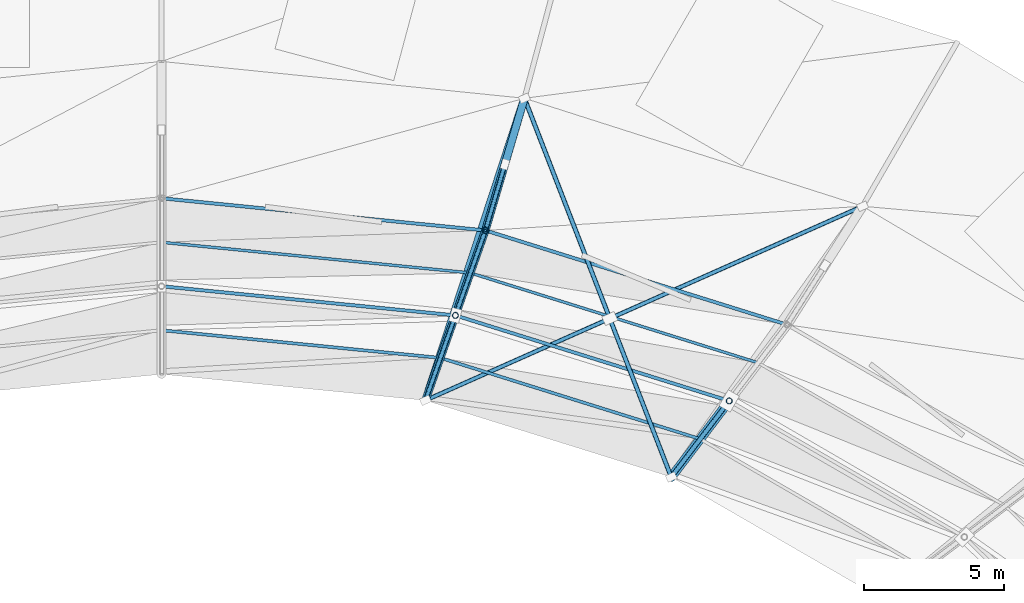
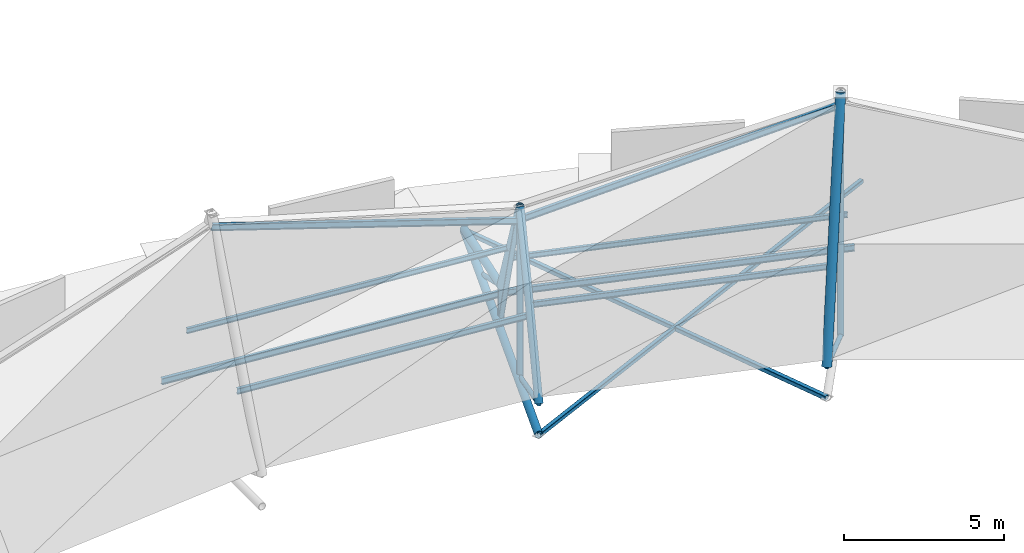
# One storey, part 15 of 36: 22 members, 1 beam.
"""IFC4 building model written with IfcOpenShell, lengths in metres."""

import ifcopenshell
import ifcopenshell.guid

model = None  # the IFC model being written
_history = None  # IfcOwnerHistory: only IFC2X3 demands one
_inside = {}  # id of a spatial element -> (the spatial element, [elements in it])
_under = {}  # id of a project, library or spatial element -> (it, [spatial elements below it])
_declared = {}  # id of a project -> (the project, [libraries it declares])
_typed = {}  # id of a type object -> (the type object, [elements of that type])
_made_of = {}  # id of a material, layer set ... -> (it, [elements and type objects made of it])


def new_model(schema):
    """Start an empty IFC model of exactly this schema.

    Asked for "IFC4X3", IfcOpenShell would pick the latest addendum, in which some entities
    have other attributes; the version numbers below select the first issue.
    IFC2X3 requires an IfcOwnerHistory on every rooted entity: one is made here for all.
    """
    global model, _history
    if schema == "IFC4X3":
        model = ifcopenshell.file(schema_version=(4, 3, 0, 0))
    else:
        model = ifcopenshell.file(schema=schema)
    _inside.clear()
    _under.clear()
    _declared.clear()
    _typed.clear()
    _made_of.clear()
    _history = None
    if model.schema == "IFC2X3":
        org = make("IfcOrganization", Name="unknown")
        user = make(
            "IfcPersonAndOrganization",
            ThePerson=make("IfcPerson", FamilyName="unknown"),
            TheOrganization=org,
        )
        app = make(
            "IfcApplication",
            ApplicationDeveloper=org,
            Version="unknown",
            ApplicationFullName="unknown",
            ApplicationIdentifier="unknown",
        )
        _history = make(
            "IfcOwnerHistory",
            OwningUser=user,
            OwningApplication=app,
            ChangeAction="ADDED",
            CreationDate=0,
        )
    return model


def make(cls, **values):
    """One entity of the class cls with the attributes given. An attribute that is None is left unset."""
    return model.create_entity(
        cls, **{name: value for name, value in values.items() if value is not None}
    )


def rooted(cls, **values):
    """An entity with a GlobalId (a new one), such as an element, a storey or a relation."""
    return make(cls, GlobalId=ifcopenshell.guid.new(), OwnerHistory=_history, **values)


def si_unit(unit_type, name, prefix=None):
    """IfcSIUnit, for example si_unit("LENGTHUNIT", "METRE", prefix="MILLI")."""
    return make("IfcSIUnit", UnitType=unit_type, Prefix=prefix, Name=name)


def assignment(units):
    """IfcUnitAssignment: the units of a project."""
    return None if units is None else make("IfcUnitAssignment", Units=units)


def point(xyz):
    """IfcCartesianPoint."""
    return None if xyz is None else make("IfcCartesianPoint", Coordinates=xyz)


def direction(xyz):
    """IfcDirection."""
    return None if xyz is None else make("IfcDirection", DirectionRatios=xyz)


def frame(location, z_axis=None, x_axis=None):
    """IfcAxis2Placement3D, a coordinate frame: its origin and axes. An axis left out is left unset."""
    return make(
        "IfcAxis2Placement3D",
        Location=point(location),
        Axis=direction(z_axis),
        RefDirection=direction(x_axis),
    )


def frame_2d(location, x_axis=None):
    """IfcAxis2Placement2D, a coordinate frame in the plane: its origin and x axis."""
    return make(
        "IfcAxis2Placement2D", Location=point(location), RefDirection=direction(x_axis)
    )


def origin():
    """The frame at (0, 0, 0) with its axes left unset."""
    return frame((0.0, 0.0, 0.0))


def origin_2d():
    """The frame at (0, 0) in the plane with its x axis left unset."""
    return frame_2d((0.0, 0.0))


def place(relative_to, where):
    """IfcLocalPlacement: puts the frame where relative to a parent placement (None: the world)."""
    return make(
        "IfcLocalPlacement", PlacementRelTo=relative_to, RelativePlacement=where
    )


def context(
    kind, dimensions, precision=None, world=None, true_north=None, identifier=None
):
    """IfcGeometricRepresentationContext, for example the 3D "Model" context."""
    return make(
        "IfcGeometricRepresentationContext",
        ContextIdentifier=identifier,
        ContextType=kind,
        CoordinateSpaceDimension=dimensions,
        Precision=precision,
        WorldCoordinateSystem=world,
        TrueNorth=true_north,
    )


def subcontext(parent, identifier, kind, view, scale=None):
    """IfcGeometricRepresentationSubContext, for example "Body" below "Model"."""
    return make(
        "IfcGeometricRepresentationSubContext",
        ContextIdentifier=identifier,
        ContextType=kind,
        ParentContext=parent,
        TargetScale=scale,
        TargetView=view,
    )


def project(units=None, contexts=None):
    """IfcProject with its units and contexts."""
    return rooted(
        "IfcProject",
        Name="project",
        RepresentationContexts=contexts,
        UnitsInContext=assignment(units),
    )


def spatial(cls, under=None, at=None, **own):
    """A site, building, storey or space (cls), placed at a placement, below another one or the project."""
    s = rooted(cls, ObjectPlacement=at, **own)
    if under is not None:
        _under.setdefault(under.id(), (under, []))[1].append(s)
    return s


def profile(cls, at=None, kind="AREA", **sizes):
    """A parametric profile (cls). Its sizes go by their IFC names, for example OverallWidth=200.0."""
    return make(cls, ProfileType=kind, Position=at, **sizes)


def hollow_rectangle(**sizes):
    """IfcRectangleHollowProfileDef."""
    return profile("IfcRectangleHollowProfileDef", **sizes)


def hollow_circle(**sizes):
    """IfcCircleHollowProfileDef."""
    return profile("IfcCircleHollowProfileDef", **sizes)


def i_section(**sizes):
    """IfcIShapeProfileDef."""
    return profile("IfcIShapeProfileDef", **sizes)


def extrude(swept, where, along, depth):
    """IfcExtrudedAreaSolid: the profile swept, set in the frame where, extruded along a direction by depth."""
    return make(
        "IfcExtrudedAreaSolid",
        SweptArea=swept,
        Position=where,
        ExtrudedDirection=direction(along),
        Depth=depth,
    )


def shape(context_of_items, identifier, shape_type, items):
    """IfcShapeRepresentation: the items that make up one representation, for example the "Body"."""
    return make(
        "IfcShapeRepresentation",
        ContextOfItems=context_of_items,
        RepresentationIdentifier=identifier,
        RepresentationType=shape_type,
        Items=items,
    )


def material(Name=None, Category=None):
    """IfcMaterial."""
    return make("IfcMaterial", Name=Name, Category=Category)


def material_profile(
    of_material, cross_section, Name=None, Category=None, Priority=None
):
    """IfcMaterialProfile: a cross section and its material."""
    return make(
        "IfcMaterialProfile",
        Name=Name,
        Material=of_material,
        Profile=cross_section,
        Priority=Priority,
        Category=Category,
    )


def profile_set(profiles, Name=None, composite=None):
    """IfcMaterialProfileSet."""
    return make(
        "IfcMaterialProfileSet",
        Name=Name,
        MaterialProfiles=profiles,
        CompositeProfile=composite,
    )


def made_of(thing, what):
    """Note that an element or type object is made of a material, layer set ...; save() writes the relation."""
    if what is not None:
        _made_of.setdefault(what.id(), (what, []))[1].append(thing)
    return thing


def type_object(cls, material=None, **own):
    """A type object (cls), such as IfcWallType, which elements share."""
    return made_of(rooted(cls, **own), material)


def element(
    cls,
    number,
    at=None,
    inside=None,
    cuts=None,
    type_object=None,
    material=None,
    context=None,
    identifier="Body",
    shape_type=None,
    held_by="IfcProductDefinitionShape",
    body=None,
    shapes=None,
    **own,
):
    """One element of the class cls, such as IfcWall. Its Tag is "e" and its number.

    at: its placement. inside: the storey or other place that contains it. cuts: it is an
    opening in that element (IfcRelVoidsElement). A single representation is given by context,
    identifier, shape_type and body (its items); several are given by shapes. held_by: the class
    of the entity that holds the representations. save() writes the other relations.
    """
    e = rooted(cls, Tag="e%d" % number, ObjectPlacement=at, **own)
    if body is not None:
        shapes = [shape(context, identifier, shape_type, body)]
    if shapes is not None:
        e.Representation = make(held_by, Representations=shapes)
    if inside is not None:
        _inside.setdefault(inside.id(), (inside, []))[1].append(e)
    if cuts is not None:
        rooted(
            "IfcRelVoidsElement", RelatingBuildingElement=cuts, RelatedOpeningElement=e
        )
    if type_object is not None:
        _typed.setdefault(type_object.id(), (type_object, []))[1].append(e)
    return made_of(e, material)


def aggregate(whole, parts):
    """IfcRelAggregates: a whole, such as a stair, and the parts it consists of."""
    return rooted("IfcRelAggregates", RelatingObject=whole, RelatedObjects=parts)


def save(model, path):
    """Write the relations noted so far, then the file.

    IfcRelAggregates (storeys below a building ...), IfcRelContainedInSpatialStructure (elements
    in a storey), IfcRelDefinesByType, IfcRelAssociatesMaterial and IfcRelDeclares: one each for
    every whole, place, type object, material and project.
    """
    for whole, parts in _under.values():
        aggregate(whole, parts)
    for where, things in _inside.values():
        rooted(
            "IfcRelContainedInSpatialStructure",
            RelatedElements=things,
            RelatingStructure=where,
        )
    for kind, things in _typed.values():
        rooted("IfcRelDefinesByType", RelatedObjects=things, RelatingType=kind)
    for what, things in _made_of.values():
        rooted("IfcRelAssociatesMaterial", RelatedObjects=things, RelatingMaterial=what)
    for by, libraries in _declared.values():
        rooted("IfcRelDeclares", RelatingContext=by, RelatedDefinitions=libraries)
    model.write(path)


model = new_model("IFC4")

# Units and contexts
model_context = context("Model", 3, precision=1e-05, world=origin(), true_north=direction((0.0, 1.0)))
body_context = subcontext(model_context, "Body", "Model", "MODEL_VIEW")
ifc_project = project(units=[si_unit("LENGTHUNIT", "METRE"), si_unit("AREAUNIT", "SQUARE_METRE"), si_unit("VOLUMEUNIT", "CUBIC_METRE"), si_unit("PLANEANGLEUNIT", "RADIAN"), si_unit("MASSUNIT", "GRAM", prefix="KILO")], contexts=[model_context])

# Site, building, storey
site_placement = place(None, origin())
site = spatial("IfcSite", under=ifc_project, at=site_placement, CompositionType="ELEMENT")
building_placement = place(site_placement, origin())
building = spatial("IfcBuilding", under=site, at=building_placement, Name="Kildeholm Park Wholesale Market", CompositionType="ELEMENT")
storey_placement = place(building_placement, frame((0.0, 0.0, 17.39990234375)))
storey = spatial("IfcBuildingStorey", under=building, at=storey_placement, Name="Roof", CompositionType="ELEMENT", Elevation=17.39990234375)

# Beam
ifc_material = material(Name="Steel S355", Category="steel")
ifc_material_profile_1 = material_profile(ifc_material, hollow_circle(Radius=0.136474609375, WallThickness=0.01611328125, at=origin_2d()), Name="CHS 273x16")
ifc_profile_set_1 = profile_set([ifc_material_profile_1], Name="Steel S355")
beam_type = type_object("IfcBeamType", Name="Beam B-T01 CHS 273x16", PredefinedType="BEAM", material=ifc_profile_set_1)
beam_placement = place(storey_placement, frame((111.992919921875, 126.881103515625, -4.6298828125), z_axis=(-0.31146940438, -0.950256181319, 0.0), x_axis=(0.950256181319, -0.31146940438, 0.0)))
element("IfcBeam", 1, at=beam_placement, inside=storey, type_object=beam_type, Name="Beam BM-V1-TIE-05 BM-0254", PredefinedType="BEAM", context=body_context, shape_type="SweptSolid", body=[
    extrude(hollow_circle(Radius=0.136474609375, WallThickness=0.01611328125, at=origin_2d()), origin(), (0.0, 0.0, 1.0), 11.384521484375),
])

# Members
ifc_material_profile_2 = material_profile(ifc_material, i_section(OverallWidth=0.10009765625, OverallDepth=0.199951171875, WebThickness=0.005615234375, FlangeThickness=0.008544921875, FilletRadius=0.011962890625, at=origin_2d()), Name="IPE 200")
ifc_profile_set_2 = profile_set([ifc_material_profile_2], Name="Steel S355")
member_type_1 = type_object("IfcMemberType", Name="Member PR-01 IPE 200", PredefinedType="PURLIN", material=ifc_profile_set_2)
member_1_placement = place(storey_placement, frame((120.362548828125, 117.407958984375, -1.205078125), z_axis=(-0.954510153273, 0.298178415213, 0.0), x_axis=(-0.298178415213, -0.954510153273, 0.0)))
element("IfcMember", 2, at=member_1_placement, inside=storey, type_object=member_type_1, Name="Member PR-V1-MDO-04 MEM-0062", PredefinedType="PURLIN", context=body_context, shape_type="SweptSolid", body=[
    extrude(i_section(OverallWidth=0.10009765625, OverallDepth=0.199951171875, WebThickness=0.005615234375, FlangeThickness=0.008544921875, FilletRadius=0.011962890625, at=origin_2d()), origin(), (0.0, 0.0, 1.0), 10.79541015625),
])
member_2_placement = place(storey_placement, frame((110.05810546875, 120.626953125, -0.78271484375), z_axis=(-0.995105258288, 0.098820670548, 0.0), x_axis=(-0.098820670548, -0.995105258288, 0.0)))
element("IfcMember", 3, at=member_2_placement, inside=storey, type_object=member_type_1, Name="Member PR-V1-MDO-05 MEM-0077", PredefinedType="PURLIN", context=body_context, shape_type="SweptSolid", body=[
    extrude(i_section(OverallWidth=0.10009765625, OverallDepth=0.199951171875, WebThickness=0.005615234375, FlangeThickness=0.008544921875, FilletRadius=0.011962890625, at=origin_2d()), origin(), (0.0, 0.0, 1.0), 11.112548828125),
])
ifc_material_profile_3 = material_profile(ifc_material, i_section(OverallWidth=0.1201171875, OverallDepth=0.239990234375, WebThickness=0.006103515625, FlangeThickness=0.009765625, FilletRadius=0.014892578125, at=origin_2d()), Name="IPE 240")
ifc_profile_set_3 = profile_set([ifc_material_profile_3], Name="Steel S355")
member_type_2 = type_object("IfcMemberType", Name="Member PR-02 IPE 240", PredefinedType="PURLIN", material=ifc_profile_set_3)
member_3_placement = place(storey_placement, frame((121.39990234375, 118.77197265625, -3.651123046875), z_axis=(-0.95449417592, 0.298229556107, 0.0), x_axis=(-0.298229556107, -0.95449417592, 0.0)))
element("IfcMember", 4, at=member_3_placement, inside=storey, type_object=member_type_2, Name="Member PR-V1-STP2-04 MEM-0060", PredefinedType="PURLIN", context=body_context, shape_type="SweptSolid", body=[
    extrude(i_section(OverallWidth=0.1201171875, OverallDepth=0.239990234375, WebThickness=0.006103515625, FlangeThickness=0.009765625, FilletRadius=0.014892578125, at=origin_2d()), origin(), (0.0, 0.0, 1.0), 11.320068359375),
])
member_4_placement = place(storey_placement, frame((119.324951171875, 116.0439453125, 4.172119140625), z_axis=(-0.920919634022, 0.287625421468, -0.2630183351), x_axis=(-0.298122049898, -0.954527759347, 0.0)))
element("IfcMember", 5, at=member_4_placement, inside=storey, type_object=member_type_2, Name="Member PR-V1-CRWN-04 MEM-0061", PredefinedType="PURLIN", context=body_context, shape_type="SweptSolid", body=[
    extrude(i_section(OverallWidth=0.1201171875, OverallDepth=0.239990234375, WebThickness=0.006103515625, FlangeThickness=0.009765625, FilletRadius=0.014892578125, at=origin_2d()), origin(), (0.0, 0.0, 1.0), 10.645751953125),
])
member_5_placement = place(storey_placement, frame((110.594970703125, 122.14794921875, -3.661865234375), z_axis=(-0.995099849345, 0.098875122419, 0.0), x_axis=(-0.098875122419, -0.995099849345, 0.0)))
element("IfcMember", 6, at=member_5_placement, inside=storey, type_object=member_type_2, Name="Member PR-V1-STP2-05 MEM-0075", PredefinedType="PURLIN", context=body_context, shape_type="SweptSolid", body=[
    extrude(i_section(OverallWidth=0.1201171875, OverallDepth=0.239990234375, WebThickness=0.006103515625, FlangeThickness=0.009765625, FilletRadius=0.014892578125, at=origin_2d()), origin(), (0.0, 0.0, 1.0), 11.652099609375),
])
member_6_placement = place(storey_placement, frame((109.52099609375, 119.10595703125, 1.327880859375), z_axis=(-0.961949605276, 0.095449401591, 0.256012438458), x_axis=(-0.098740063557, -0.995113259809, 0.0)))
element("IfcMember", 7, at=member_6_placement, inside=storey, type_object=member_type_2, Name="Member PR-V1-CRWN-05 MEM-0076", PredefinedType="PURLIN", context=body_context, shape_type="SweptSolid", body=[
    extrude(i_section(OverallWidth=0.1201171875, OverallDepth=0.239990234375, WebThickness=0.006103515625, FlangeThickness=0.009765625, FilletRadius=0.014892578125, at=origin_2d()), origin(), (0.0, 0.0, 1.0), 10.937255859375),
])
ifc_material_profile_4 = material_profile(ifc_material, i_section(OverallWidth=0.110107421875, OverallDepth=0.219970703125, WebThickness=0.005859375, FlangeThickness=0.00927734375, FilletRadius=0.011962890625, at=origin_2d()), Name="IPE 220")
ifc_profile_set_4 = profile_set([ifc_material_profile_4], Name="Steel S355")
member_type_3 = type_object("IfcMemberType", Name="Member PR-03 IPE 220", PredefinedType="PURLIN", material=ifc_profile_set_4)
member_7_placement = place(storey_placement, frame((118.28759765625, 114.679931640625, -0.774169921875), z_axis=(-0.954563733867, 0.29800684218, 0.0), x_axis=(-0.29800684218, -0.954563733867, 0.0)))
element("IfcMember", 8, at=member_7_placement, inside=storey, type_object=member_type_3, Name="Member PR-V1-MDI-04 MEM-0063", PredefinedType="PURLIN", context=body_context, shape_type="SweptSolid", body=[
    extrude(i_section(OverallWidth=0.110107421875, OverallDepth=0.219970703125, WebThickness=0.005859375, FlangeThickness=0.00927734375, FilletRadius=0.011962890625, at=origin_2d()), origin(), (0.0, 0.0, 1.0), 9.74658203125),
])
member_8_placement = place(storey_placement, frame((108.98388671875, 117.58447265625, -1.175048828125), z_axis=(-0.995114945582, 0.098723072681, 0.0), x_axis=(-0.098723072681, -0.995114945582, 0.0)))
element("IfcMember", 9, at=member_8_placement, inside=storey, type_object=member_type_3, Name="Member PR-V1-MDI-05 MEM-0078", PredefinedType="PURLIN", context=body_context, shape_type="SweptSolid", body=[
    extrude(i_section(OverallWidth=0.110107421875, OverallDepth=0.219970703125, WebThickness=0.005859375, FlangeThickness=0.00927734375, FilletRadius=0.011962890625, at=origin_2d()), origin(), (0.0, 0.0, 1.0), 10.032958984375),
])
ifc_material_profile_5 = material_profile(ifc_material, hollow_circle(Radius=0.084228515625, WallThickness=0.010009765625, at=origin_2d()), Name="CHS 168.3x10")
ifc_profile_set_5 = profile_set([ifc_material_profile_5], Name="Steel S355")
member_type_4 = type_object("IfcMemberType", Name="Member TB-01 CHS 168.3x10", PredefinedType="BRACE", material=ifc_profile_set_5)
member_9_placement = place(storey_placement, frame((119.324951171875, 116.0439453125, -4.6298828125), z_axis=(-0.571902410077, -0.751904639393, 0.327974155396), x_axis=(0.795930166757, -0.605388445254, 0.0)))
element("IfcMember", 10, at=member_9_placement, inside=storey, type_object=member_type_4, Name="Member TR-V1-04-WB3 MEM-0059", PredefinedType="BRACE", context=body_context, shape_type="SweptSolid", body=[
    extrude(hollow_circle(Radius=0.084228515625, WallThickness=0.010009765625, at=origin_2d()), origin(), (0.0, 0.0, 1.0), 3.628173828125),
])
member_10_placement = place(storey_placement, frame((111.2939453125, 124.513916015625, -4.6298828125), z_axis=(-0.253146344437, -0.856877828828, 0.449084974989), x_axis=(0.959024430509, -0.283323387117, 0.0)))
element("IfcMember", 11, at=member_10_placement, inside=storey, type_object=member_type_4, Name="Member TR-V1-05-WB1 MEM-0072", PredefinedType="BRACE", context=body_context, shape_type="SweptSolid", body=[
    extrude(hollow_circle(Radius=0.084228515625, WallThickness=0.010009765625, at=origin_2d()), origin(), (0.0, 0.0, 1.0), 2.76123046875),
])
member_11_placement = place(storey_placement, frame((110.594970703125, 122.14794921875, -4.6298828125), z_axis=(-0.14818432141, -0.419726448005, 0.895472565595), x_axis=(0.942958194793, -0.332911163635, 0.0)))
element("IfcMember", 12, at=member_11_placement, inside=storey, type_object=member_type_4, Name="Member TR-V1-05-WB2 MEM-0073", PredefinedType="BRACE", context=body_context, shape_type="SweptSolid", body=[
    extrude(hollow_circle(Radius=0.084228515625, WallThickness=0.010009765625, at=origin_2d()), origin(), (0.0, 0.0, 1.0), 7.24755859375),
])
member_12_placement = place(storey_placement, frame((109.52099609375, 119.10595703125, -4.6298828125), z_axis=(-0.312262080305, -0.884754391663, 0.345979854378), x_axis=(0.942991730323, -0.332816160277, 0.0)))
element("IfcMember", 13, at=member_12_placement, inside=storey, type_object=member_type_4, Name="Member TR-V1-05-WB3 MEM-0074", PredefinedType="BRACE", context=body_context, shape_type="SweptSolid", body=[
    extrude(hollow_circle(Radius=0.084228515625, WallThickness=0.010009765625, at=origin_2d()), origin(), (0.0, 0.0, 1.0), 3.439453125),
])
ifc_material_profile_6 = material_profile(ifc_material, hollow_circle(Radius=0.109619140625, WallThickness=0.012451171875, at=origin_2d()), Name="CHS 219.1x12.5")
ifc_profile_set_6 = profile_set([ifc_material_profile_6], Name="Steel S355")
member_type_5 = type_object("IfcMemberType", Name="Member TB-02 CHS 219.1x12.5", PredefinedType="BRACE", material=ifc_profile_set_6)
member_13_placement = place(storey_placement, frame((119.324951171875, 116.0439453125, -4.6298828125), z_axis=(0.0, 0.0, 1.0), x_axis=(1.0, 0.0, 0.0)))
element("IfcMember", 14, at=member_13_placement, inside=storey, type_object=member_type_5, Name="Member TR-V1-04-VT2 MEM-0056", PredefinedType="BRACE", context=body_context, shape_type="SweptSolid", body=[
    extrude(hollow_circle(Radius=0.109619140625, WallThickness=0.012451171875, at=origin_2d()), origin(), (0.0, 0.0, 1.0), 9.2900390625),
])
member_14_placement = place(storey_placement, frame((110.594970703125, 122.14794921875, -4.6298828125), z_axis=(0.0, 0.0, 1.0), x_axis=(1.0, 0.0, 0.0)))
element("IfcMember", 15, at=member_14_placement, inside=storey, type_object=member_type_5, Name="Member TR-V1-05-VT1 MEM-0070", PredefinedType="BRACE", context=body_context, shape_type="SweptSolid", body=[
    extrude(hollow_circle(Radius=0.109619140625, WallThickness=0.012451171875, at=origin_2d()), origin(), (0.0, 0.0, 1.0), 1.239990234375),
])
member_15_placement = place(storey_placement, frame((109.52099609375, 119.10595703125, -4.6298828125), z_axis=(0.0, 0.0, 1.0), x_axis=(1.0, 0.0, 0.0)))
element("IfcMember", 16, at=member_15_placement, inside=storey, type_object=member_type_5, Name="Member TR-V1-05-VT2 MEM-0071", PredefinedType="BRACE", context=body_context, shape_type="SweptSolid", body=[
    extrude(hollow_circle(Radius=0.109619140625, WallThickness=0.012451171875, at=origin_2d()), origin(), (0.0, 0.0, 1.0), 6.489990234375),
])
ifc_material_profile_7 = material_profile(ifc_material, hollow_rectangle(XDim=0.14990234375, YDim=0.14990234375, WallThickness=0.010009765625, InnerFilletRadius=0.010009765625, OuterFilletRadius=0.02001953125, at=origin_2d()), Name="SHS 150x150x10")
ifc_profile_set_7 = profile_set([ifc_material_profile_7], Name="Steel S355")
member_type_6 = type_object("IfcMemberType", Name="Member TB-03 SHS 150x150x10", PredefinedType="BRACE", material=ifc_profile_set_7)
member_16_placement = place(storey_placement, frame((124.10009765625, 123.014892578125, -4.6298828125), z_axis=(-0.9139202607, -0.405893775613, 0.0), x_axis=(0.405893775613, -0.9139202607, 0.0)))
element("IfcMember", 17, at=member_16_placement, inside=storey, type_object=member_type_6, Name="Member BR-V1-RF-04-1 MEM-0064", PredefinedType="BRACE", context=body_context, shape_type="SweptSolid", body=[
    extrude(hollow_rectangle(XDim=0.14990234375, YDim=0.14990234375, WallThickness=0.010009765625, InnerFilletRadius=0.010009765625, OuterFilletRadius=0.02001953125, at=origin_2d()), origin(), (0.0, 0.0, 1.0), 17.12744140625),
])
ifc_material_profile_8 = material_profile(ifc_material, hollow_rectangle(XDim=0.159912109375, YDim=0.159912109375, WallThickness=0.010009765625, InnerFilletRadius=0.010009765625, OuterFilletRadius=0.02001953125, at=origin_2d()), Name="SHS 160x160x10")
ifc_profile_set_8 = profile_set([ifc_material_profile_8], Name="Steel S355")
member_type_7 = type_object("IfcMemberType", Name="Member TB-04 SHS 160x160x10", PredefinedType="BRACE", material=ifc_profile_set_8)
member_17_placement = place(storey_placement, frame((111.992919921875, 126.881103515625, -4.6298828125), z_axis=(0.361362676392, -0.93242534077, 0.0), x_axis=(0.93242534077, 0.361362676392, 0.0)))
element("IfcMember", 18, at=member_17_placement, inside=storey, type_object=member_type_7, Name="Member BR-V1-RF-04-2A MEM-0065", PredefinedType="BRACE", context=body_context, shape_type="SweptSolid", body=[
    extrude(hollow_rectangle(XDim=0.159912109375, YDim=0.159912109375, WallThickness=0.010009765625, InnerFilletRadius=0.010009765625, OuterFilletRadius=0.02001953125, at=origin_2d()), origin(), (0.0, 0.0, 1.0), 8.41748046875),
])
member_18_placement = place(storey_placement, frame((115.063720703125, 118.9580078125, -4.6298828125), z_axis=(0.361316682694, -0.932443164384, 0.0), x_axis=(0.932443164384, 0.361316682694, 0.0)))
element("IfcMember", 19, at=member_18_placement, inside=storey, type_object=member_type_7, Name="Member BR-V1-RF-04-2B MEM-0066", PredefinedType="BRACE", context=body_context, shape_type="SweptSolid", body=[
    extrude(hollow_rectangle(XDim=0.159912109375, YDim=0.159912109375, WallThickness=0.010009765625, InnerFilletRadius=0.010009765625, OuterFilletRadius=0.02001953125, at=origin_2d()), origin(), (0.0, 0.0, 1.0), 6.05078125),
])
ifc_material_profile_9 = material_profile(ifc_material, hollow_circle(Radius=0.161865234375, WallThickness=0.01611328125, at=origin_2d()), Name="CHS 323.9x16")
ifc_profile_set_9 = profile_set([ifc_material_profile_9], Name="Steel S355")
member_type_8 = type_object("IfcMemberType", Name="Member TC-01 CHS 323.9x16", PredefinedType="CHORD", material=ifc_profile_set_9)
member_19_placement = place(storey_placement, frame((119.324951171875, 116.0439453125, 4.66015625), z_axis=(-0.235913107624, -0.310165085844, -0.920946591923), x_axis=(0.795930166757, -0.605388445254, 0.0)))
element("IfcMember", 20, at=member_19_placement, inside=storey, type_object=member_type_8, Name="Member TR-V1-04-TC3 MEM-0054", PredefinedType="CHORD", context=body_context, shape_type="SweptSolid", body=[
    extrude(hollow_circle(Radius=0.161865234375, WallThickness=0.01611328125, at=origin_2d()), origin(), (0.0, 0.0, 1.0), 8.79541015625),
])
ifc_material_profile_10 = material_profile(ifc_material, hollow_circle(Radius=0.136474609375, WallThickness=0.01611328125, at=origin_2d()), Name="CHS 273x16")
ifc_profile_set_10 = profile_set([ifc_material_profile_10], Name="Steel S355")
member_type_9 = type_object("IfcMemberType", Name="Member TC-02 CHS 273x16", PredefinedType="CHORD", material=ifc_profile_set_10)
member_20_placement = place(storey_placement, frame((111.992919921875, 126.881103515625, -4.579833984375), z_axis=(-0.275365256471, -0.932327318758, 0.23439229131), x_axis=(0.959044282835, -0.283256180095, 0.0)))
element("IfcMember", 21, at=member_20_placement, inside=storey, type_object=member_type_9, Name="Member TR-V1-05-TC1 MEM-0067", PredefinedType="CHORD", context=body_context, shape_type="SweptSolid", body=[
    extrude(hollow_circle(Radius=0.136474609375, WallThickness=0.01611328125, at=origin_2d()), origin(), (0.0, 0.0, 1.0), 5.07666015625),
])
member_21_placement = place(storey_placement, frame((110.594970703125, 122.14794921875, -3.389892578125), z_axis=(-0.174291330852, -0.493673558175, 0.852002904895), x_axis=(0.942958194793, -0.332911163635, 0.0)))
element("IfcMember", 22, at=member_21_placement, inside=storey, type_object=member_type_9, Name="Member TR-V1-05-TC2 MEM-0068", PredefinedType="CHORD", context=body_context, shape_type="SweptSolid", body=[
    extrude(hollow_circle(Radius=0.136474609375, WallThickness=0.01611328125, at=origin_2d()), origin(), (0.0, 0.0, 1.0), 6.161865234375),
])
member_22_placement = place(storey_placement, frame((109.52099609375, 119.10595703125, 1.860107421875), z_axis=(-0.173078593626, -0.490395906104, -0.854140302119), x_axis=(0.942991730323, -0.332816160277, 0.0)))
element("IfcMember", 23, at=member_22_placement, inside=storey, type_object=member_type_9, Name="Member TR-V1-05-TC3 MEM-0069", PredefinedType="CHORD", context=body_context, shape_type="SweptSolid", body=[
    extrude(hollow_circle(Radius=0.136474609375, WallThickness=0.01611328125, at=origin_2d()), origin(), (0.0, 0.0, 1.0), 6.205078125),
])

save(model, "model.ifc")
